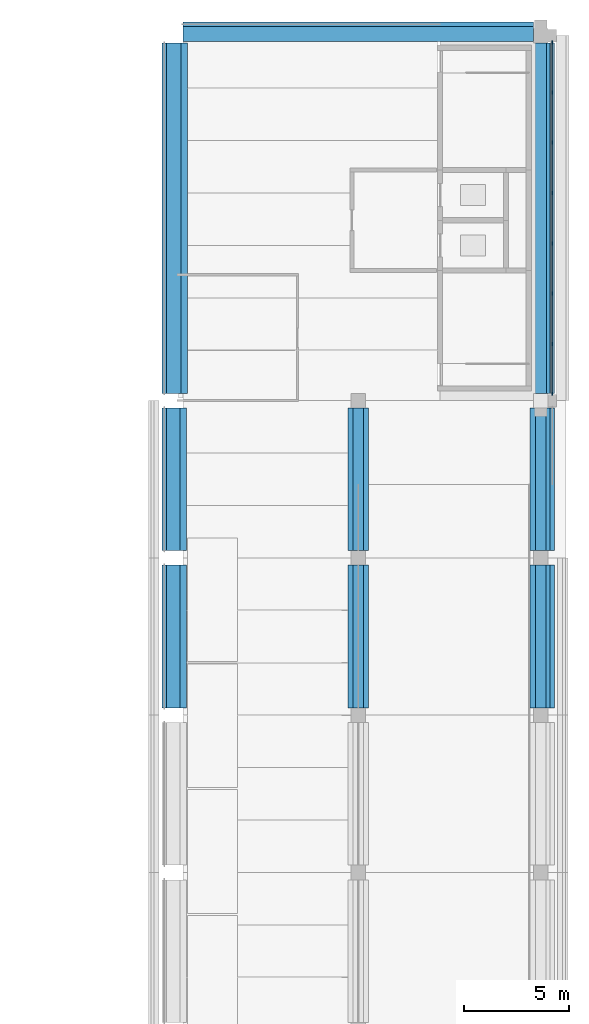
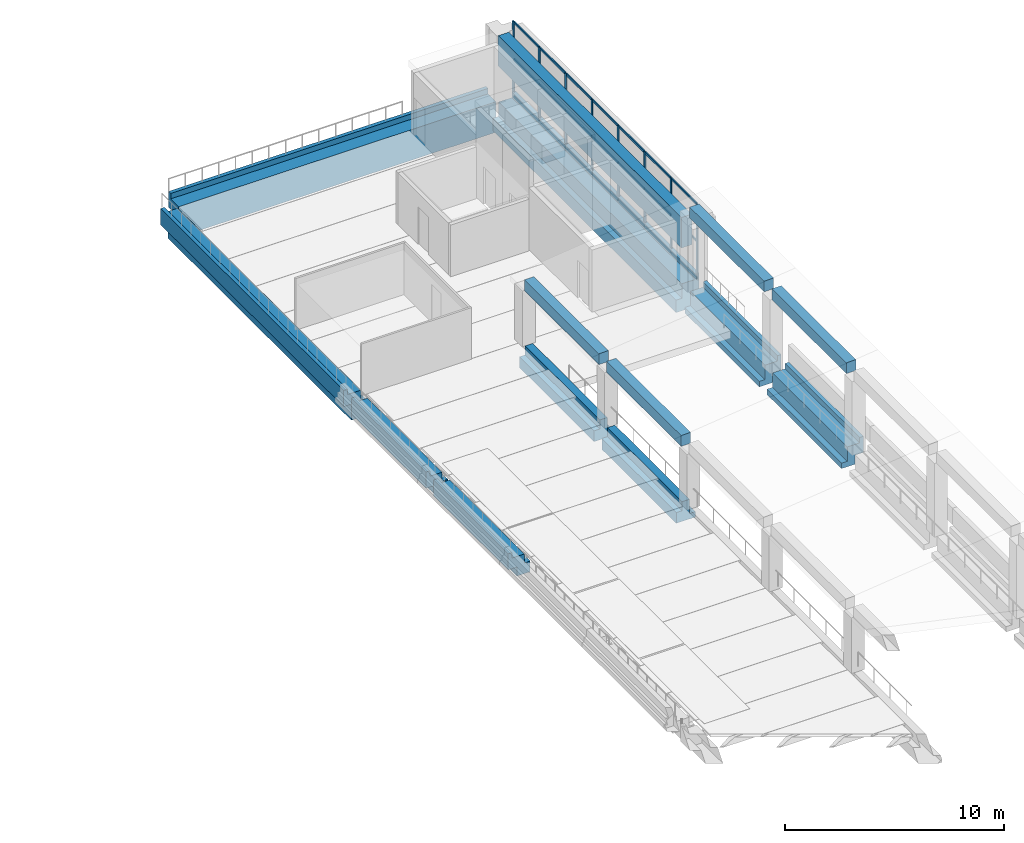
# One storey, part 5 of 17: 29 members, 14 beams, 1 element without a shape of its own.
"""IFC4 building model written with IfcOpenShell, lengths in metres."""

from ifc_helpers import new_model, si_unit, direction, frame, origin, origin_2d, place, context, subcontext, project, spatial, polyline, rectangle, outline, extrude, material, layer, layer_set, material_profile, profile_set, type_object, element, aggregate, save


model = new_model("IFC4")

# Units and contexts
model_context = context("Model", 3, precision=1e-05, world=origin(), true_north=direction((0.0, 1.0)))
body_context = subcontext(model_context, "Body", "Model", "MODEL_VIEW")
ifc_project = project(units=[si_unit("LENGTHUNIT", "METRE"), si_unit("AREAUNIT", "SQUARE_METRE"), si_unit("VOLUMEUNIT", "CUBIC_METRE"), si_unit("PLANEANGLEUNIT", "RADIAN"), si_unit("MASSUNIT", "GRAM", prefix="KILO")], contexts=[model_context])

# Site, building, storey
site_placement = place(None, origin())
site = spatial("IfcSite", under=ifc_project, at=site_placement, CompositionType="ELEMENT")
building_placement = place(site_placement, origin())
building = spatial("IfcBuilding", under=site, at=building_placement, Name="Cour d'Honneur Mobility Palace", CompositionType="ELEMENT")
storey_placement = place(building_placement, frame((0.0, 0.0, 34.10009765625)))
storey = spatial("IfcBuildingStorey", under=building, at=storey_placement, Name="L09", CompositionType="ELEMENT", Elevation=34.10009765625)

# Curtain wall, members
ifc_material_1 = material(Name="Aluminium and glass", Category="aluminium")
ifc_layer = layer(ifc_material_1, 0.10009765625)
ifc_layer_set = layer_set([ifc_layer], Name="Aluminium and glass")
curtain_wall_type = type_object("IfcCurtainWallType", Name="Curtain wall run", PredefinedType="NOTDEFINED", material=ifc_layer_set)
curtain_wall_placement = place(storey_placement, origin())
curtain_wall = element("IfcCurtainWall", 1, at=curtain_wall_placement, inside=storey, type_object=curtain_wall_type, Name="Curtain wall CW-99", PredefinedType="NOTDEFINED")
ifc_material_2 = material(Name="Aluminium", Category="aluminium")
ifc_material_profile_1 = material_profile(ifc_material_2, rectangle(XDim=0.06005859375, YDim=0.159912109375, at=origin_2d()), Name="Curtain wall mullion")
ifc_profile_set_1 = profile_set([ifc_material_profile_1], Name="Aluminium")
member_type_1 = type_object("IfcMemberType", Name="Curtain wall mullion", PredefinedType="MULLION", material=ifc_profile_set_1)
member_1_placement = place(storey_placement, frame((162.85009765625, 45.330078125, 0.0), z_axis=(0.0, 0.0, 1.0), x_axis=(-1.0, 0.0, 0.0)))
member_1 = element("IfcMember", 2, at=member_1_placement, type_object=member_type_1, Name="CW-99 mullion 1", PredefinedType="MULLION", context=body_context, shape_type="SweptSolid", body=[
    extrude(rectangle(XDim=0.06005859375, YDim=0.159912109375, at=origin_2d()), origin(), (0.0, 0.0, 1.0), 4.199951171875),
])
member_2_placement = place(storey_placement, frame((162.85009765625, 47.699951171875, 0.0), z_axis=(0.0, 0.0, 1.0), x_axis=(-1.0, 0.0, 0.0)))
member_2 = element("IfcMember", 3, at=member_2_placement, type_object=member_type_1, Name="CW-99 mullion 2", PredefinedType="MULLION", context=body_context, shape_type="SweptSolid", body=[
    extrude(rectangle(XDim=0.06005859375, YDim=0.159912109375, at=origin_2d()), origin(), (0.0, 0.0, 1.0), 4.199951171875),
])
member_3_placement = place(storey_placement, frame((162.85009765625, 50.10009765625, 0.0), z_axis=(0.0, 0.0, 1.0), x_axis=(-1.0, 0.0, 0.0)))
member_3 = element("IfcMember", 4, at=member_3_placement, type_object=member_type_1, Name="CW-99 mullion 3", PredefinedType="MULLION", context=body_context, shape_type="SweptSolid", body=[
    extrude(rectangle(XDim=0.06005859375, YDim=0.159912109375, at=origin_2d()), origin(), (0.0, 0.0, 1.0), 4.199951171875),
])
member_4_placement = place(storey_placement, frame((162.85009765625, 52.5, 0.0), z_axis=(0.0, 0.0, 1.0), x_axis=(-1.0, 0.0, 0.0)))
member_4 = element("IfcMember", 5, at=member_4_placement, type_object=member_type_1, Name="CW-99 mullion 4", PredefinedType="MULLION", context=body_context, shape_type="SweptSolid", body=[
    extrude(rectangle(XDim=0.06005859375, YDim=0.159912109375, at=origin_2d()), origin(), (0.0, 0.0, 1.0), 4.199951171875),
])
member_5_placement = place(storey_placement, frame((162.85009765625, 54.89990234375, 0.0), z_axis=(0.0, 0.0, 1.0), x_axis=(-1.0, 0.0, 0.0)))
member_5 = element("IfcMember", 6, at=member_5_placement, type_object=member_type_1, Name="CW-99 mullion 5", PredefinedType="MULLION", context=body_context, shape_type="SweptSolid", body=[
    extrude(rectangle(XDim=0.06005859375, YDim=0.159912109375, at=origin_2d()), origin(), (0.0, 0.0, 1.0), 4.199951171875),
])
member_6_placement = place(storey_placement, frame((162.85009765625, 57.300048828125, 0.0), z_axis=(0.0, 0.0, 1.0), x_axis=(-1.0, 0.0, 0.0)))
member_6 = element("IfcMember", 7, at=member_6_placement, type_object=member_type_1, Name="CW-99 mullion 6", PredefinedType="MULLION", context=body_context, shape_type="SweptSolid", body=[
    extrude(rectangle(XDim=0.06005859375, YDim=0.159912109375, at=origin_2d()), origin(), (0.0, 0.0, 1.0), 4.199951171875),
])
member_7_placement = place(storey_placement, frame((162.85009765625, 59.699951171875, 0.0), z_axis=(0.0, 0.0, 1.0), x_axis=(-1.0, 0.0, 0.0)))
member_7 = element("IfcMember", 8, at=member_7_placement, type_object=member_type_1, Name="CW-99 mullion 7", PredefinedType="MULLION", context=body_context, shape_type="SweptSolid", body=[
    extrude(rectangle(XDim=0.06005859375, YDim=0.159912109375, at=origin_2d()), origin(), (0.0, 0.0, 1.0), 4.199951171875),
])
member_8_placement = place(storey_placement, frame((162.85009765625, 62.070068359375, 0.0), z_axis=(0.0, 0.0, 1.0), x_axis=(-1.0, 0.0, 0.0)))
member_8 = element("IfcMember", 9, at=member_8_placement, type_object=member_type_1, Name="CW-99 mullion 8", PredefinedType="MULLION", context=body_context, shape_type="SweptSolid", body=[
    extrude(rectangle(XDim=0.06005859375, YDim=0.159912109375, at=origin_2d()), origin(), (0.0, 0.0, 1.0), 4.199951171875),
])
ifc_material_3 = material(Name="Aluminium", Category="aluminium")
ifc_material_profile_2 = material_profile(ifc_material_3, rectangle(XDim=0.06005859375, YDim=0.1201171875, at=origin_2d()), Name="Curtain wall transom")
ifc_profile_set_2 = profile_set([ifc_material_profile_2], Name="Aluminium")
member_type_2 = type_object("IfcMemberType", Name="Curtain wall transom", PredefinedType="USERDEFINED", material=ifc_profile_set_2)
member_9_placement = place(storey_placement, frame((162.85009765625, 45.360107421875, 0.02978515625), z_axis=(0.0, 1.0, 0.0), x_axis=(-1.0, 0.0, 0.0)))
member_9 = element("IfcMember", 10, at=member_9_placement, type_object=member_type_2, Name="CW-99 transom 1.1", ObjectType="TRANSOM", PredefinedType="USERDEFINED", context=body_context, shape_type="SweptSolid", body=[
    extrude(rectangle(XDim=0.06005859375, YDim=0.1201171875, at=origin_2d()), origin(), (0.0, 0.0, 1.0), 2.309814453125),
])
member_10_placement = place(storey_placement, frame((162.85009765625, 45.360107421875, 2.099853515625), z_axis=(0.0, 1.0, 0.0), x_axis=(-1.0, 0.0, 0.0)))
member_10 = element("IfcMember", 11, at=member_10_placement, type_object=member_type_2, Name="CW-99 transom 1.2", ObjectType="TRANSOM", PredefinedType="USERDEFINED", context=body_context, shape_type="SweptSolid", body=[
    extrude(rectangle(XDim=0.06005859375, YDim=0.1201171875, at=origin_2d()), origin(), (0.0, 0.0, 1.0), 2.309814453125),
])
member_11_placement = place(storey_placement, frame((162.85009765625, 45.360107421875, 4.169921875), z_axis=(0.0, 1.0, 0.0), x_axis=(-1.0, 0.0, 0.0)))
member_11 = element("IfcMember", 12, at=member_11_placement, type_object=member_type_2, Name="CW-99 transom 1.3", ObjectType="TRANSOM", PredefinedType="USERDEFINED", context=body_context, shape_type="SweptSolid", body=[
    extrude(rectangle(XDim=0.06005859375, YDim=0.1201171875, at=origin_2d()), origin(), (0.0, 0.0, 1.0), 2.309814453125),
])
member_12_placement = place(storey_placement, frame((162.85009765625, 47.72998046875, 0.02978515625), z_axis=(0.0, 1.0, 0.0), x_axis=(-1.0, 0.0, 0.0)))
member_12 = element("IfcMember", 13, at=member_12_placement, type_object=member_type_2, Name="CW-99 transom 2.1", ObjectType="TRANSOM", PredefinedType="USERDEFINED", context=body_context, shape_type="SweptSolid", body=[
    extrude(rectangle(XDim=0.06005859375, YDim=0.1201171875, at=origin_2d()), origin(), (0.0, 0.0, 1.0), 2.340087890625),
])
member_13_placement = place(storey_placement, frame((162.85009765625, 47.72998046875, 2.099853515625), z_axis=(0.0, 1.0, 0.0), x_axis=(-1.0, 0.0, 0.0)))
member_13 = element("IfcMember", 14, at=member_13_placement, type_object=member_type_2, Name="CW-99 transom 2.2", ObjectType="TRANSOM", PredefinedType="USERDEFINED", context=body_context, shape_type="SweptSolid", body=[
    extrude(rectangle(XDim=0.06005859375, YDim=0.1201171875, at=origin_2d()), origin(), (0.0, 0.0, 1.0), 2.340087890625),
])
member_14_placement = place(storey_placement, frame((162.85009765625, 47.72998046875, 4.169921875), z_axis=(0.0, 1.0, 0.0), x_axis=(-1.0, 0.0, 0.0)))
member_14 = element("IfcMember", 15, at=member_14_placement, type_object=member_type_2, Name="CW-99 transom 2.3", ObjectType="TRANSOM", PredefinedType="USERDEFINED", context=body_context, shape_type="SweptSolid", body=[
    extrude(rectangle(XDim=0.06005859375, YDim=0.1201171875, at=origin_2d()), origin(), (0.0, 0.0, 1.0), 2.340087890625),
])
member_15_placement = place(storey_placement, frame((162.85009765625, 50.1298828125, 0.02978515625), z_axis=(0.0, 1.0, 0.0), x_axis=(-1.0, 0.0, 0.0)))
member_15 = element("IfcMember", 16, at=member_15_placement, type_object=member_type_2, Name="CW-99 transom 3.1", ObjectType="TRANSOM", PredefinedType="USERDEFINED", context=body_context, shape_type="SweptSolid", body=[
    extrude(rectangle(XDim=0.06005859375, YDim=0.1201171875, at=origin_2d()), origin(), (0.0, 0.0, 1.0), 2.340087890625),
])
member_16_placement = place(storey_placement, frame((162.85009765625, 50.1298828125, 2.099853515625), z_axis=(0.0, 1.0, 0.0), x_axis=(-1.0, 0.0, 0.0)))
member_16 = element("IfcMember", 17, at=member_16_placement, type_object=member_type_2, Name="CW-99 transom 3.2", ObjectType="TRANSOM", PredefinedType="USERDEFINED", context=body_context, shape_type="SweptSolid", body=[
    extrude(rectangle(XDim=0.06005859375, YDim=0.1201171875, at=origin_2d()), origin(), (0.0, 0.0, 1.0), 2.340087890625),
])
member_17_placement = place(storey_placement, frame((162.85009765625, 50.1298828125, 4.169921875), z_axis=(0.0, 1.0, 0.0), x_axis=(-1.0, 0.0, 0.0)))
member_17 = element("IfcMember", 18, at=member_17_placement, type_object=member_type_2, Name="CW-99 transom 3.3", ObjectType="TRANSOM", PredefinedType="USERDEFINED", context=body_context, shape_type="SweptSolid", body=[
    extrude(rectangle(XDim=0.06005859375, YDim=0.1201171875, at=origin_2d()), origin(), (0.0, 0.0, 1.0), 2.340087890625),
])
member_18_placement = place(storey_placement, frame((162.85009765625, 52.530029296875, 0.02978515625), z_axis=(0.0, 1.0, 0.0), x_axis=(-1.0, 0.0, 0.0)))
member_18 = element("IfcMember", 19, at=member_18_placement, type_object=member_type_2, Name="CW-99 transom 4.1", ObjectType="TRANSOM", PredefinedType="USERDEFINED", context=body_context, shape_type="SweptSolid", body=[
    extrude(rectangle(XDim=0.06005859375, YDim=0.1201171875, at=origin_2d()), origin(), (0.0, 0.0, 1.0), 2.340087890625),
])
member_19_placement = place(storey_placement, frame((162.85009765625, 52.530029296875, 2.099853515625), z_axis=(0.0, 1.0, 0.0), x_axis=(-1.0, 0.0, 0.0)))
member_19 = element("IfcMember", 20, at=member_19_placement, type_object=member_type_2, Name="CW-99 transom 4.2", ObjectType="TRANSOM", PredefinedType="USERDEFINED", context=body_context, shape_type="SweptSolid", body=[
    extrude(rectangle(XDim=0.06005859375, YDim=0.1201171875, at=origin_2d()), origin(), (0.0, 0.0, 1.0), 2.340087890625),
])
member_20_placement = place(storey_placement, frame((162.85009765625, 52.530029296875, 4.169921875), z_axis=(0.0, 1.0, 0.0), x_axis=(-1.0, 0.0, 0.0)))
member_20 = element("IfcMember", 21, at=member_20_placement, type_object=member_type_2, Name="CW-99 transom 4.3", ObjectType="TRANSOM", PredefinedType="USERDEFINED", context=body_context, shape_type="SweptSolid", body=[
    extrude(rectangle(XDim=0.06005859375, YDim=0.1201171875, at=origin_2d()), origin(), (0.0, 0.0, 1.0), 2.340087890625),
])
member_21_placement = place(storey_placement, frame((162.85009765625, 54.929931640625, 0.02978515625), z_axis=(0.0, 1.0, 0.0), x_axis=(-1.0, 0.0, 0.0)))
member_21 = element("IfcMember", 22, at=member_21_placement, type_object=member_type_2, Name="CW-99 transom 5.1", ObjectType="TRANSOM", PredefinedType="USERDEFINED", context=body_context, shape_type="SweptSolid", body=[
    extrude(rectangle(XDim=0.06005859375, YDim=0.1201171875, at=origin_2d()), origin(), (0.0, 0.0, 1.0), 2.340087890625),
])
member_22_placement = place(storey_placement, frame((162.85009765625, 54.929931640625, 2.099853515625), z_axis=(0.0, 1.0, 0.0), x_axis=(-1.0, 0.0, 0.0)))
member_22 = element("IfcMember", 23, at=member_22_placement, type_object=member_type_2, Name="CW-99 transom 5.2", ObjectType="TRANSOM", PredefinedType="USERDEFINED", context=body_context, shape_type="SweptSolid", body=[
    extrude(rectangle(XDim=0.06005859375, YDim=0.1201171875, at=origin_2d()), origin(), (0.0, 0.0, 1.0), 2.340087890625),
])
member_23_placement = place(storey_placement, frame((162.85009765625, 54.929931640625, 4.169921875), z_axis=(0.0, 1.0, 0.0), x_axis=(-1.0, 0.0, 0.0)))
member_23 = element("IfcMember", 24, at=member_23_placement, type_object=member_type_2, Name="CW-99 transom 5.3", ObjectType="TRANSOM", PredefinedType="USERDEFINED", context=body_context, shape_type="SweptSolid", body=[
    extrude(rectangle(XDim=0.06005859375, YDim=0.1201171875, at=origin_2d()), origin(), (0.0, 0.0, 1.0), 2.340087890625),
])
member_24_placement = place(storey_placement, frame((162.85009765625, 57.330078125, 0.02978515625), z_axis=(0.0, 1.0, 0.0), x_axis=(-1.0, 0.0, 0.0)))
member_24 = element("IfcMember", 25, at=member_24_placement, type_object=member_type_2, Name="CW-99 transom 6.1", ObjectType="TRANSOM", PredefinedType="USERDEFINED", context=body_context, shape_type="SweptSolid", body=[
    extrude(rectangle(XDim=0.06005859375, YDim=0.1201171875, at=origin_2d()), origin(), (0.0, 0.0, 1.0), 2.33984375),
])
member_25_placement = place(storey_placement, frame((162.85009765625, 57.330078125, 2.099853515625), z_axis=(0.0, 1.0, 0.0), x_axis=(-1.0, 0.0, 0.0)))
member_25 = element("IfcMember", 26, at=member_25_placement, type_object=member_type_2, Name="CW-99 transom 6.2", ObjectType="TRANSOM", PredefinedType="USERDEFINED", context=body_context, shape_type="SweptSolid", body=[
    extrude(rectangle(XDim=0.06005859375, YDim=0.1201171875, at=origin_2d()), origin(), (0.0, 0.0, 1.0), 2.33984375),
])
member_26_placement = place(storey_placement, frame((162.85009765625, 57.330078125, 4.169921875), z_axis=(0.0, 1.0, 0.0), x_axis=(-1.0, 0.0, 0.0)))
member_26 = element("IfcMember", 27, at=member_26_placement, type_object=member_type_2, Name="CW-99 transom 6.3", ObjectType="TRANSOM", PredefinedType="USERDEFINED", context=body_context, shape_type="SweptSolid", body=[
    extrude(rectangle(XDim=0.06005859375, YDim=0.1201171875, at=origin_2d()), origin(), (0.0, 0.0, 1.0), 2.33984375),
])
member_27_placement = place(storey_placement, frame((162.85009765625, 59.72998046875, 0.02978515625), z_axis=(0.0, 1.0, 0.0), x_axis=(-1.0, 0.0, 0.0)))
member_27 = element("IfcMember", 28, at=member_27_placement, type_object=member_type_2, Name="CW-99 transom 7.1", ObjectType="TRANSOM", PredefinedType="USERDEFINED", context=body_context, shape_type="SweptSolid", body=[
    extrude(rectangle(XDim=0.06005859375, YDim=0.1201171875, at=origin_2d()), origin(), (0.0, 0.0, 1.0), 2.31005859375),
])
member_28_placement = place(storey_placement, frame((162.85009765625, 59.72998046875, 2.099853515625), z_axis=(0.0, 1.0, 0.0), x_axis=(-1.0, 0.0, 0.0)))
member_28 = element("IfcMember", 29, at=member_28_placement, type_object=member_type_2, Name="CW-99 transom 7.2", ObjectType="TRANSOM", PredefinedType="USERDEFINED", context=body_context, shape_type="SweptSolid", body=[
    extrude(rectangle(XDim=0.06005859375, YDim=0.1201171875, at=origin_2d()), origin(), (0.0, 0.0, 1.0), 2.31005859375),
])
member_29_placement = place(storey_placement, frame((162.85009765625, 59.72998046875, 4.169921875), z_axis=(0.0, 1.0, 0.0), x_axis=(-1.0, 0.0, 0.0)))
member_29 = element("IfcMember", 30, at=member_29_placement, type_object=member_type_2, Name="CW-99 transom 7.3", ObjectType="TRANSOM", PredefinedType="USERDEFINED", context=body_context, shape_type="SweptSolid", body=[
    extrude(rectangle(XDim=0.06005859375, YDim=0.1201171875, at=origin_2d()), origin(), (0.0, 0.0, 1.0), 2.31005859375),
])
aggregate(curtain_wall, [member_1, member_2, member_3, member_4, member_5, member_6, member_7, member_8, member_9, member_10, member_11, member_12, member_13, member_14, member_15, member_16, member_17, member_18, member_19, member_20, member_21, member_22, member_23, member_24, member_25, member_26, member_27, member_28, member_29])

# Beams
ifc_material_4 = material(Name="Concrete C45", Category="concrete")
ifc_material_profile_3 = material_profile(ifc_material_4, outline(polyline([(0.27490234375, -1.699951171875), (0.27490234375, -0.60009765625), (0.64990234375, -0.60009765625), (0.64990234375, 0.300048828125), (0.449951171875, 0.300048828125), (0.449951171875, 0.0), (0.27490234375, 0.0), (-0.27490234375, 0.0), (-0.27490234375, -1.699951171875), (0.27490234375, -1.699951171875)])), Name="Edge Spandrel Beam 550x1700 no ledge facade left")
ifc_profile_set_3 = profile_set([ifc_material_profile_3], Name="Concrete C45")
beam_type_1 = type_object("IfcBeamType", Name="Edge Spandrel Beam 550x1700 no ledge facade left", PredefinedType="SPANDREL", material=ifc_profile_set_3)
beam_1_placement = place(storey_placement, frame((145.25, 62.39990234375, 0.0), z_axis=(1.0, 0.0, 0.0), x_axis=(0.0, 1.0, 0.0)))
element("IfcBeam", 31, at=beam_1_placement, inside=storey, type_object=beam_type_1, Name="Precast beam B7 19-20 L09", PredefinedType="SPANDREL", context=body_context, shape_type="SweptSolid", body=[
    extrude(outline(polyline([(0.27490234375, -1.699951171875), (0.27490234375, -0.60009765625), (0.64990234375, -0.60009765625), (0.64990234375, 0.300048828125), (0.449951171875, 0.300048828125), (0.449951171875, 0.0), (0.27490234375, 0.0), (-0.27490234375, 0.0), (-0.27490234375, -1.699951171875), (0.27490234375, -1.699951171875)])), origin(), (0.0, 0.0, 1.0), 16.699951171875),
])
ifc_material_5 = material(Name="Concrete C45", Category="concrete")
ifc_material_profile_4 = material_profile(ifc_material_5, outline(polyline([(0.27490234375, -1.699951171875), (0.27490234375, 0.0), (-0.27490234375, 0.0), (-0.27490234375, -1.699951171875), (0.27490234375, -1.699951171875)])), Name="Edge Spandrel Beam 550x1700 no ledge plain")
ifc_profile_set_4 = profile_set([ifc_material_profile_4], Name="Concrete C45")
beam_type_2 = type_object("IfcBeamType", Name="Edge Spandrel Beam 550x1700 no ledge plain", PredefinedType="SPANDREL", material=ifc_profile_set_4)
beam_2_placement = place(storey_placement, frame((162.300048828125, 45.35009765625, 3.699951171875), z_axis=(0.0, 1.0, 0.0), x_axis=(-1.0, 0.0, 0.0)))
element("IfcBeam", 32, at=beam_2_placement, inside=storey, type_object=beam_type_2, Name="Precast beam B22 G-H ROOF", PredefinedType="SPANDREL", context=body_context, shape_type="SweptSolid", body=[
    extrude(outline(polyline([(0.27490234375, -1.699951171875), (0.27490234375, 0.0), (-0.27490234375, 0.0), (-0.27490234375, -1.699951171875), (0.27490234375, -1.699951171875)])), origin(), (0.0, 0.0, 1.0), 16.699951171875),
])
ifc_material_6 = material(Name="Concrete C45", Category="concrete")
ifc_material_profile_5 = material_profile(ifc_material_6, outline(polyline([(0.5, -1.10009765625), (0.5, -0.5), (0.199951171875, -0.5), (0.199951171875, 0.0), (-0.199951171875, 0.0), (-0.199951171875, -0.800048828125), (-0.5, -0.800048828125), (-0.5, -1.10009765625), (0.5, -1.10009765625)])), Name="Inverted Tee Beam 400x1100 ledges 600/300 plain")
ifc_profile_set_5 = profile_set([ifc_material_profile_5], Name="Concrete C45")
beam_type_3 = type_object("IfcBeamType", Name="Inverted Tee Beam 400x1100 ledges 600/300 plain", PredefinedType="T_BEAM", material=ifc_profile_set_5)
for number, where, z_axis, x_axis, name in (
    (33, (153.60009765625, 30.35009765625, 0.0), (0.0, 1.0, 0.0), (-1.0, 0.0, 0.0), "Precast beam B19 E-F L09"),
    (34, (153.60009765625, 37.85009765625, 0.0), (0.0, 1.0, 0.0), (-1.0, 0.0, 0.0), "Precast beam B19 F-G L09"),
):
    element("IfcBeam", number, at=place(storey_placement, frame(where, z_axis=z_axis, x_axis=x_axis)), inside=storey, type_object=beam_type_3, Name=name, PredefinedType="T_BEAM", context=body_context, shape_type="SweptSolid", body=[
        extrude(outline(polyline([(0.5, -1.10009765625), (0.5, -0.5), (0.199951171875, -0.5), (0.199951171875, 0.0), (-0.199951171875, 0.0), (-0.199951171875, -0.800048828125), (-0.5, -0.800048828125), (-0.5, -1.10009765625), (0.5, -1.10009765625)])), origin(), (0.0, 0.0, 1.0), 6.7998046875),
    ])
ifc_material_7 = material(Name="Concrete C45", Category="concrete")
ifc_material_profile_6 = material_profile(ifc_material_7, outline(polyline([(0.5, -1.10009765625), (0.5, -0.800048828125), (0.199951171875, -0.800048828125), (0.199951171875, 0.0), (-0.199951171875, 0.0), (-0.449951171875, 0.0), (-0.449951171875, 0.300048828125), (-0.64990234375, 0.300048828125), (-0.64990234375, -0.60009765625), (-0.199951171875, -0.60009765625), (-0.199951171875, -1.10009765625), (0.5, -1.10009765625)])), Name="Ledger Beam 400x1100 ledge left 300 facade right")
ifc_profile_set_6 = profile_set([ifc_material_profile_6], Name="Concrete C45")
beam_type_4 = type_object("IfcBeamType", Name="Ledger Beam 400x1100 ledge left 300 facade right", PredefinedType="BEAM", material=ifc_profile_set_6)
for number, where, z_axis, x_axis, name in (
    (35, (162.300048828125, 30.35009765625, 0.0), (0.0, 1.0, 0.0), (-1.0, 0.0, 0.0), "Precast beam B3 E-F L09"),
    (36, (162.300048828125, 37.85009765625, 0.0), (0.0, 1.0, 0.0), (-1.0, 0.0, 0.0), "Precast beam B3 F-G L09"),
):
    element("IfcBeam", number, at=place(storey_placement, frame(where, z_axis=z_axis, x_axis=x_axis)), inside=storey, type_object=beam_type_4, Name=name, PredefinedType="BEAM", context=body_context, shape_type="SweptSolid", body=[
        extrude(outline(polyline([(0.5, -1.10009765625), (0.5, -0.800048828125), (0.199951171875, -0.800048828125), (0.199951171875, 0.0), (-0.199951171875, 0.0), (-0.449951171875, 0.0), (-0.449951171875, 0.300048828125), (-0.64990234375, 0.300048828125), (-0.64990234375, -0.60009765625), (-0.199951171875, -0.60009765625), (-0.199951171875, -1.10009765625), (0.5, -1.10009765625)])), origin(), (0.0, 0.0, 1.0), 6.7998046875),
    ])
ifc_material_8 = material(Name="Concrete C45", Category="concrete")
ifc_material_profile_7 = material_profile(ifc_material_8, outline(polyline([(0.199951171875, -1.10009765625), (0.199951171875, -0.60009765625), (0.64990234375, -0.60009765625), (0.64990234375, 0.300048828125), (0.449951171875, 0.300048828125), (0.449951171875, 0.0), (0.199951171875, 0.0), (-0.199951171875, 0.0), (-0.199951171875, -0.5), (-0.5, -0.5), (-0.5, -1.10009765625), (0.199951171875, -1.10009765625)])), Name="Ledger Beam 400x1100 ledge right 600 facade left")
ifc_profile_set_7 = profile_set([ifc_material_profile_7], Name="Concrete C45")
beam_type_5 = type_object("IfcBeamType", Name="Ledger Beam 400x1100 ledge right 600 facade left", PredefinedType="BEAM", material=ifc_profile_set_7)
for number, where, z_axis, x_axis, name in (
    (37, (144.89990234375, 30.35009765625, 0.0), (0.0, 1.0, 0.0), (-1.0, 0.0, 0.0), "Precast beam B15 E-F L09"),
    (38, (144.89990234375, 37.85009765625, 0.0), (0.0, 1.0, 0.0), (-1.0, 0.0, 0.0), "Precast beam B15 F-G L09"),
):
    element("IfcBeam", number, at=place(storey_placement, frame(where, z_axis=z_axis, x_axis=x_axis)), inside=storey, type_object=beam_type_5, Name=name, PredefinedType="BEAM", context=body_context, shape_type="SweptSolid", body=[
        extrude(outline(polyline([(0.199951171875, -1.10009765625), (0.199951171875, -0.60009765625), (0.64990234375, -0.60009765625), (0.64990234375, 0.300048828125), (0.449951171875, 0.300048828125), (0.449951171875, 0.0), (0.199951171875, 0.0), (-0.199951171875, 0.0), (-0.199951171875, -0.5), (-0.5, -0.5), (-0.5, -1.10009765625), (0.199951171875, -1.10009765625)])), origin(), (0.0, 0.0, 1.0), 6.7998046875),
    ])
ifc_material_9 = material(Name="Concrete C45", Category="concrete")
ifc_material_profile_8 = material_profile(ifc_material_9, outline(polyline([(0.550048828125, -1.5), (0.550048828125, -0.800048828125), (0.25, -0.800048828125), (0.25, 0.0), (-0.25, 0.0), (-0.449951171875, 0.0), (-0.449951171875, 0.300048828125), (-0.64990234375, 0.300048828125), (-0.64990234375, -0.60009765625), (-0.25, -0.60009765625), (-0.25, -1.5), (0.550048828125, -1.5)])), Name="Ledger Beam 500x1500 ledge left 700 facade right")
ifc_profile_set_8 = profile_set([ifc_material_profile_8], Name="Concrete C45")
beam_type_6 = type_object("IfcBeamType", Name="Ledger Beam 500x1500 ledge left 700 facade right", PredefinedType="BEAM", material=ifc_profile_set_8)
beam_3_placement = place(storey_placement, frame((162.300048828125, 45.35009765625, 0.0), z_axis=(0.0, 1.0, 0.0), x_axis=(-1.0, 0.0, 0.0)))
element("IfcBeam", 39, at=beam_3_placement, inside=storey, type_object=beam_type_6, Name="Precast beam B21 G-H L09", PredefinedType="BEAM", context=body_context, shape_type="SweptSolid", body=[
    extrude(outline(polyline([(0.550048828125, -1.5), (0.550048828125, -0.800048828125), (0.25, -0.800048828125), (0.25, 0.0), (-0.25, 0.0), (-0.449951171875, 0.0), (-0.449951171875, 0.300048828125), (-0.64990234375, 0.300048828125), (-0.64990234375, -0.60009765625), (-0.25, -0.60009765625), (-0.25, -1.5), (0.550048828125, -1.5)])), origin(), (0.0, 0.0, 1.0), 16.699951171875),
])
ifc_material_10 = material(Name="Concrete C45", Category="concrete")
ifc_material_profile_9 = material_profile(ifc_material_10, outline(polyline([(0.25, -1.5), (0.25, -0.60009765625), (0.64990234375, -0.60009765625), (0.64990234375, 0.300048828125), (0.449951171875, 0.300048828125), (0.449951171875, 0.0), (0.25, 0.0), (-0.25, 0.0), (-0.25, -0.64990234375), (-0.550048828125, -0.64990234375), (-0.550048828125, -1.5), (0.25, -1.5)])), Name="Ledger Beam 500x1500 ledge right 850 facade left")
ifc_profile_set_9 = profile_set([ifc_material_profile_9], Name="Concrete C45")
beam_type_7 = type_object("IfcBeamType", Name="Ledger Beam 500x1500 ledge right 850 facade left", PredefinedType="BEAM", material=ifc_profile_set_9)
beam_4_placement = place(storey_placement, frame((144.89990234375, 45.35009765625, 0.0), z_axis=(0.0, 1.0, 0.0), x_axis=(-1.0, 0.0, 0.0)))
element("IfcBeam", 40, at=beam_4_placement, inside=storey, type_object=beam_type_7, Name="Precast beam B24 G-H L09", PredefinedType="BEAM", context=body_context, shape_type="SweptSolid", body=[
    extrude(outline(polyline([(0.25, -1.5), (0.25, -0.60009765625), (0.64990234375, -0.60009765625), (0.64990234375, 0.300048828125), (0.449951171875, 0.300048828125), (0.449951171875, 0.0), (0.25, 0.0), (-0.25, 0.0), (-0.25, -0.64990234375), (-0.550048828125, -0.64990234375), (-0.550048828125, -1.5), (0.25, -1.5)])), origin(), (0.0, 0.0, 1.0), 16.699951171875),
])
ifc_material_11 = material(Name="Concrete C50", Category="concrete")
ifc_material_profile_10 = material_profile(ifc_material_11, rectangle(XDim=0.5, YDim=0.60009765625, at=origin_2d()), Name="Ramp house roof beam 500x600")
ifc_profile_set_10 = profile_set([ifc_material_profile_10], Name="Concrete C50")
beam_type_8 = type_object("IfcBeamType", Name="Ramp house roof beam 500x600", PredefinedType="BEAM", material=ifc_profile_set_10)
for number, where, z_axis, x_axis, name in (
    (41, (162.300048828125, 30.35009765625, 4.39990234375), (0.0, 1.0, 0.0), (-1.0, 0.0, 0.0), "Ramp house roof beam RHB-EO5"),
    (42, (162.300048828125, 37.85009765625, 4.39990234375), (0.0, 1.0, 0.0), (-1.0, 0.0, 0.0), "Ramp house roof beam RHB-EO6"),
    (43, (153.60009765625, 30.35009765625, 3.39990234375), (0.0, 1.0, 0.0), (-1.0, 0.0, 0.0), "Ramp house roof beam RHB-EI5"),
    (44, (153.60009765625, 37.85009765625, 3.39990234375), (0.0, 1.0, 0.0), (-1.0, 0.0, 0.0), "Ramp house roof beam RHB-EI6"),
):
    element("IfcBeam", number, at=place(storey_placement, frame(where, z_axis=z_axis, x_axis=x_axis)), inside=storey, type_object=beam_type_8, Name=name, PredefinedType="BEAM", context=body_context, shape_type="SweptSolid", body=[
        extrude(rectangle(XDim=0.5, YDim=0.60009765625, at=origin_2d()), origin(), (0.0, 0.0, 1.0), 6.7998046875),
    ])

save(model, "model.ifc")
